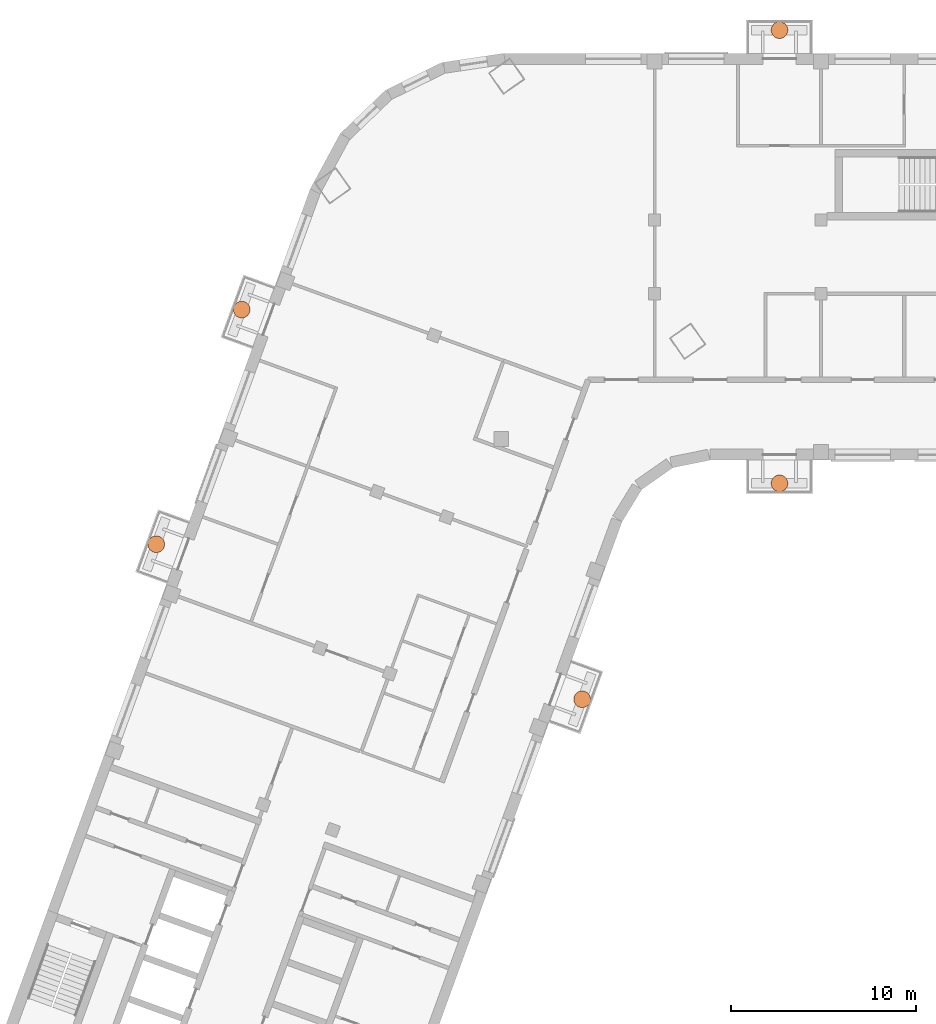
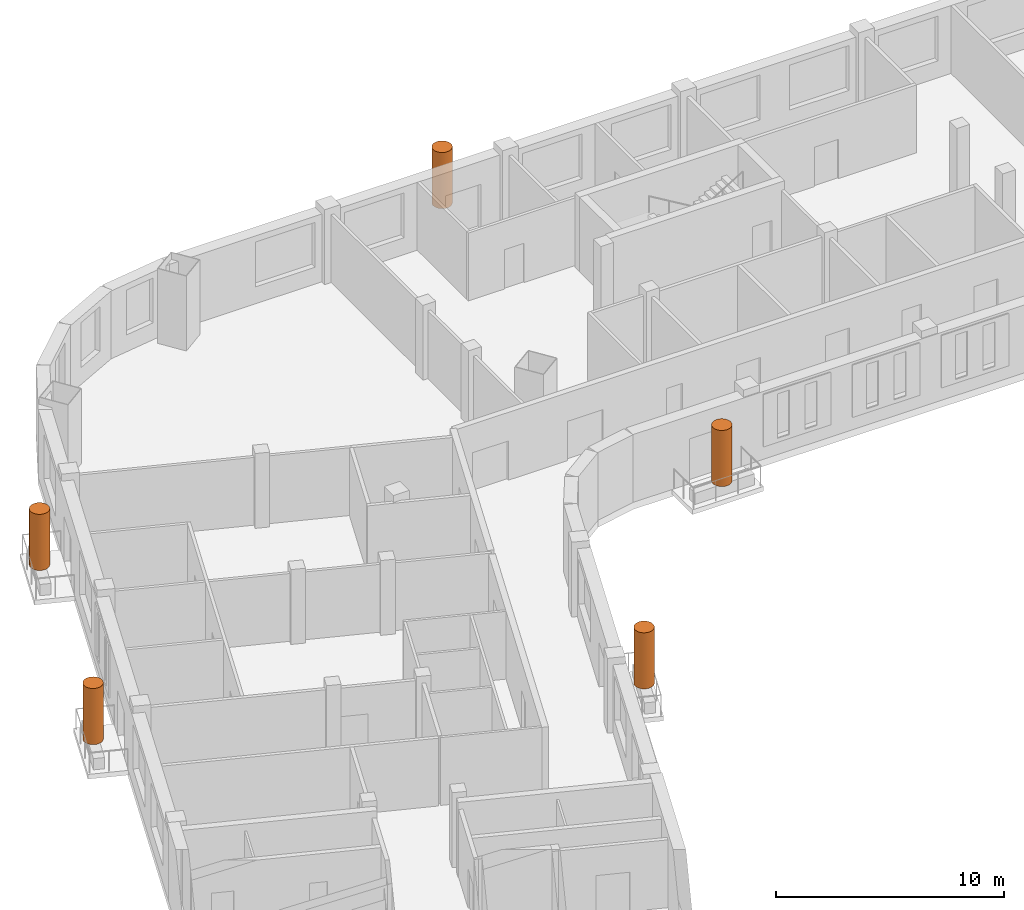
# One storey, part 11 of 11: 5 geographic elements.
"""IFC4 building model written with IfcOpenShell, lengths in metres."""

from ifc_helpers import new_model, si_unit, direction, frame, origin, origin_2d, place, context, subcontext, project, spatial, circle, extrude, element, save


model = new_model("IFC4")

# Units and contexts
model_context = context("Model", 3, precision=1e-05, world=origin(), true_north=direction((0.0, 1.0)))
body_context = subcontext(model_context, "Body", "Model", "MODEL_VIEW")
ifc_project = project(units=[si_unit("LENGTHUNIT", "METRE"), si_unit("AREAUNIT", "SQUARE_METRE"), si_unit("VOLUMEUNIT", "CUBIC_METRE"), si_unit("PLANEANGLEUNIT", "RADIAN"), si_unit("MASSUNIT", "GRAM", prefix="KILO")], contexts=[model_context])

# Site, building, storey
site_placement = place(None, origin())
site = spatial("IfcSite", under=ifc_project, at=site_placement, CompositionType="ELEMENT")
building_placement = place(site_placement, origin())
building = spatial("IfcBuilding", under=site, at=building_placement, Name="Skarvind Civic Tower", CompositionType="ELEMENT")
storey_placement = place(building_placement, frame((0.0, 0.0, 142.5)))
storey = spatial("IfcBuildingStorey", under=building, at=storey_placement, Name="L33", CompositionType="ELEMENT", Elevation=142.5)

# Geographic elements
for number, where, z_axis, x_axis, name in (
    (1, (50.328857421875, 104.07666015625, 0.60009765625), (0.0, 0.0, 1.0), (1.0, 0.0, 0.0), "TREE BALCONY TREE"),
    (2, (61.0, 115.75, 0.60009765625), (0.0, 0.0, 1.0), (1.0, 0.0, 0.0), "TREE BALCONY TREE"),
    (3, (61.0, 140.25, 0.60009765625), (0.0, 0.0, 1.0), (1.0, 0.0, 0.0), "TREE BALCONY TREE"),
    (4, (27.306396484375, 112.456298828125, 0.60009765625), (0.0, 0.0, 1.0), (1.0, 0.0, 0.0), "TREE BALCONY TREE"),
    (5, (31.923583984375, 125.14208984375, 0.60009765625), (0.0, 0.0, 1.0), (1.0, 0.0, 0.0), "TREE BALCONY TREE"),
):
    element("IfcGeographicElement", number, at=place(storey_placement, frame(where, z_axis=z_axis, x_axis=x_axis)), inside=storey, Name=name, ObjectType="TREE", PredefinedType="USERDEFINED", context=body_context, shape_type="SweptSolid", body=[
        extrude(circle(Radius=0.449951171875, at=origin_2d()), origin(), (0.0, 0.0, 1.0), 3.0),
    ])

save(model, "model.ifc")
